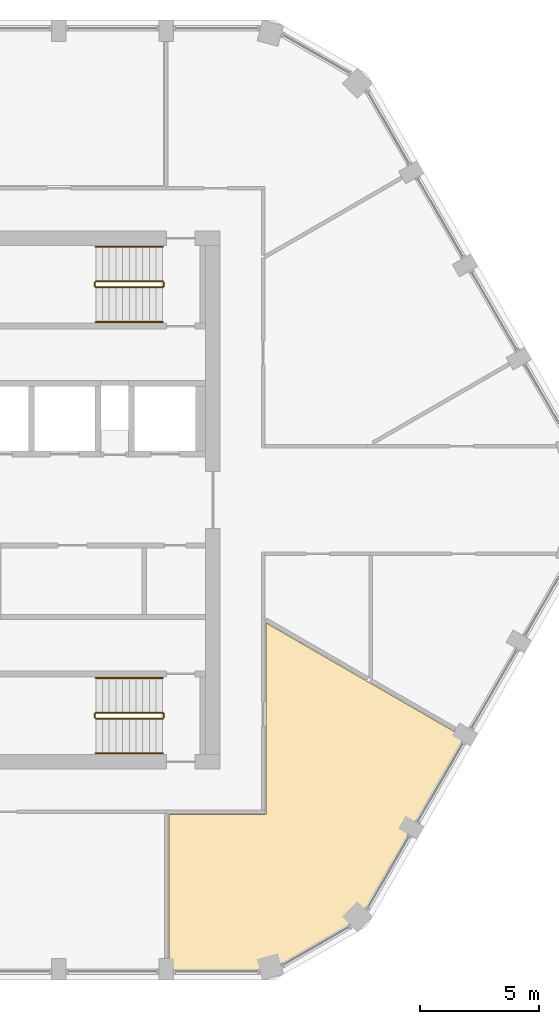
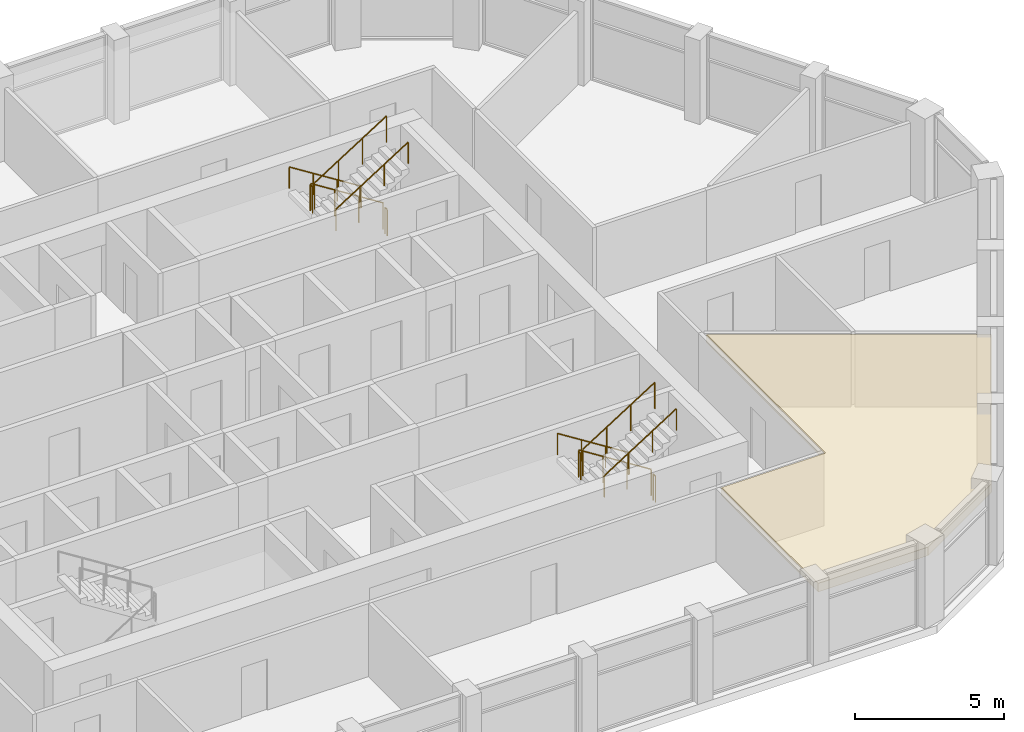
# One storey, part 14 of 15: 12 railings, 1 covering.
"""IFC4 building model written with IfcOpenShell, lengths in metres."""

from ifc_helpers import new_model, si_unit, direction, frame, origin, origin_2d, place, context, subcontext, project, spatial, polyline, circle, outline, extrude, material, layer, layer_set, type_object, element, save


model = new_model("IFC4")

# Units and contexts
model_context = context("Model", 3, precision=1e-05, world=origin(), true_north=direction((0.0, 1.0)))
body_context = subcontext(model_context, "Body", "Model", "MODEL_VIEW")
ifc_project = project(units=[si_unit("LENGTHUNIT", "METRE"), si_unit("AREAUNIT", "SQUARE_METRE"), si_unit("VOLUMEUNIT", "CUBIC_METRE"), si_unit("PLANEANGLEUNIT", "RADIAN"), si_unit("MASSUNIT", "GRAM", prefix="KILO")], contexts=[model_context])

# Site, building, storey
site_placement = place(None, origin())
site = spatial("IfcSite", under=ifc_project, at=site_placement, CompositionType="ELEMENT")
building_placement = place(site_placement, origin())
building = spatial("IfcBuilding", under=site, at=building_placement, Name="Dhurran Vertical Campus", CompositionType="ELEMENT")
storey_placement = place(building_placement, frame((0.0, 0.0, 306.0)))
storey = spatial("IfcBuildingStorey", under=building, at=storey_placement, Name="L76", CompositionType="ELEMENT", Elevation=306.0)

# Railings
ifc_material_1 = material(Name="Stainless steel balustrade", Category="steel")
railing_type_1 = type_object("IfcRailingType", Name="co-RL-GUARD-1100", PredefinedType="GUARDRAIL", material=ifc_material_1)
railing_1_placement = place(storey_placement, frame((11.10009765625, 9.14990234375, 0.17724609375)))
element("IfcRailing", 1, at=railing_1_placement, inside=storey, type_object=railing_type_1, Name="L76 ST2 stair guard 1", PredefinedType="GUARDRAIL", context=body_context, shape_type="SweptSolid", body=[
    extrude(circle(Radius=0.02392578125, at=origin_2d()), frame((0.0, 0.0, 1.076171875), z_axis=(-0.844908973607, 0.0, 0.534910110503), x_axis=(0.0, -1.0, 0.0)), (0.0, 0.0, 1.0), 3.31396484375),
    extrude(circle(Radius=0.02099609375, at=origin_2d()), origin(), (0.0, 0.0, 1.0), 1.052001953125),
    extrude(circle(Radius=0.02099609375, at=origin_2d()), frame((-0.933349609375, 0.0, 0.5908203125)), (0.0, 0.0, 1.0), 1.052001953125),
    extrude(circle(Radius=0.02099609375, at=origin_2d()), frame((-1.86669921875, 0.0, 1.181884765625)), (0.0, 0.0, 1.0), 1.052001953125),
    extrude(circle(Radius=0.02099609375, at=origin_2d()), frame((-2.800048828125, 0.0, 1.772705078125)), (0.0, 0.0, 1.0), 1.052001953125),
])
railing_2_placement = place(storey_placement, frame((8.25, 9.10009765625, 1.949951171875)))
element("IfcRailing", 2, at=railing_2_placement, inside=storey, type_object=railing_type_1, Name="L76 ST2 stair guard 2", PredefinedType="GUARDRAIL", context=body_context, shape_type="SweptSolid", body=[
    extrude(circle(Radius=0.02392578125, at=origin_2d()), frame((0.0, 0.0, 1.076171875), z_axis=(0.0, -1.0, 0.0), x_axis=(1.0, 0.0, 0.0)), (0.0, 0.0, 1.0), 0.150146484375),
    extrude(circle(Radius=0.02099609375, at=origin_2d()), origin(), (0.0, 0.0, 1.0), 1.052001953125),
    extrude(circle(Radius=0.02099609375, at=origin_2d()), frame((0.0, -0.150146484375, 0.0)), (0.0, 0.0, 1.0), 1.052001953125),
])
railing_3_placement = place(storey_placement, frame((8.300048828125, 8.89990234375, 2.127197265625)))
element("IfcRailing", 3, at=railing_3_placement, inside=storey, type_object=railing_type_1, Name="L76 ST2 stair guard 3", PredefinedType="GUARDRAIL", context=body_context, shape_type="SweptSolid", body=[
    extrude(circle(Radius=0.02392578125, at=origin_2d()), frame((0.0, 0.0, 1.076171875), z_axis=(0.844908973607, 0.0, 0.534910110503), x_axis=(0.0, 1.0, 0.0)), (0.0, 0.0, 1.0), 3.31396484375),
    extrude(circle(Radius=0.02099609375, at=origin_2d()), origin(), (0.0, 0.0, 1.0), 1.052001953125),
    extrude(circle(Radius=0.02099609375, at=origin_2d()), frame((0.933349609375, 0.0, 0.5908203125)), (0.0, 0.0, 1.0), 1.052001953125),
    extrude(circle(Radius=0.02099609375, at=origin_2d()), frame((1.86669921875, 0.0, 1.181884765625)), (0.0, 0.0, 1.0), 1.052001953125),
    extrude(circle(Radius=0.02099609375, at=origin_2d()), frame((2.800048828125, 0.0, 1.772705078125)), (0.0, 0.0, 1.0), 1.052001953125),
])
railing_4_placement = place(storey_placement, frame((11.14990234375, 9.10009765625, 0.0)))
element("IfcRailing", 4, at=railing_4_placement, inside=storey, type_object=railing_type_1, Name="L76 ST2 stair guard 4", PredefinedType="GUARDRAIL", context=body_context, shape_type="SweptSolid", body=[
    extrude(circle(Radius=0.02392578125, at=origin_2d()), frame((0.0, 0.0, 1.076171875), z_axis=(0.0, -1.0, 0.0), x_axis=(1.0, 0.0, 0.0)), (0.0, 0.0, 1.0), 0.150146484375),
    extrude(circle(Radius=0.02099609375, at=origin_2d()), origin(), (0.0, 0.0, 1.0), 1.052001953125),
    extrude(circle(Radius=0.02099609375, at=origin_2d()), frame((0.0, -0.150146484375, 0.0)), (0.0, 0.0, 1.0), 1.052001953125),
])
railing_5_placement = place(storey_placement, frame((11.10009765625, -8.89990234375, 0.17724609375)))
element("IfcRailing", 5, at=railing_5_placement, inside=storey, type_object=railing_type_1, Name="L76 ST4 stair guard 1", PredefinedType="GUARDRAIL", context=body_context, shape_type="SweptSolid", body=[
    extrude(circle(Radius=0.02392578125, at=origin_2d()), frame((0.0, 0.0, 1.076171875), z_axis=(-0.844908973607, 0.0, 0.534910110503), x_axis=(0.0, -1.0, 0.0)), (0.0, 0.0, 1.0), 3.31396484375),
    extrude(circle(Radius=0.02099609375, at=origin_2d()), origin(), (0.0, 0.0, 1.0), 1.052001953125),
    extrude(circle(Radius=0.02099609375, at=origin_2d()), frame((-0.933349609375, 0.0, 0.5908203125)), (0.0, 0.0, 1.0), 1.052001953125),
    extrude(circle(Radius=0.02099609375, at=origin_2d()), frame((-1.86669921875, 0.0, 1.181884765625)), (0.0, 0.0, 1.0), 1.052001953125),
    extrude(circle(Radius=0.02099609375, at=origin_2d()), frame((-2.800048828125, 0.0, 1.772705078125)), (0.0, 0.0, 1.0), 1.052001953125),
])
railing_6_placement = place(storey_placement, frame((8.25, -8.949951171875, 1.949951171875)))
element("IfcRailing", 6, at=railing_6_placement, inside=storey, type_object=railing_type_1, Name="L76 ST4 stair guard 2", PredefinedType="GUARDRAIL", context=body_context, shape_type="SweptSolid", body=[
    extrude(circle(Radius=0.02392578125, at=origin_2d()), frame((0.0, 0.0, 1.076171875), z_axis=(0.0, -1.0, 0.0), x_axis=(1.0, 0.0, 0.0)), (0.0, 0.0, 1.0), 0.150146484375),
    extrude(circle(Radius=0.02099609375, at=origin_2d()), origin(), (0.0, 0.0, 1.0), 1.052001953125),
    extrude(circle(Radius=0.02099609375, at=origin_2d()), frame((0.0, -0.150146484375, 0.0)), (0.0, 0.0, 1.0), 1.052001953125),
])
railing_7_placement = place(storey_placement, frame((8.300048828125, -9.14990234375, 2.127197265625)))
element("IfcRailing", 7, at=railing_7_placement, inside=storey, type_object=railing_type_1, Name="L76 ST4 stair guard 3", PredefinedType="GUARDRAIL", context=body_context, shape_type="SweptSolid", body=[
    extrude(circle(Radius=0.02392578125, at=origin_2d()), frame((0.0, 0.0, 1.076171875), z_axis=(0.844908973607, 0.0, 0.534910110503), x_axis=(0.0, 1.0, 0.0)), (0.0, 0.0, 1.0), 3.31396484375),
    extrude(circle(Radius=0.02099609375, at=origin_2d()), origin(), (0.0, 0.0, 1.0), 1.052001953125),
    extrude(circle(Radius=0.02099609375, at=origin_2d()), frame((0.933349609375, 0.0, 0.5908203125)), (0.0, 0.0, 1.0), 1.052001953125),
    extrude(circle(Radius=0.02099609375, at=origin_2d()), frame((1.86669921875, 0.0, 1.181884765625)), (0.0, 0.0, 1.0), 1.052001953125),
    extrude(circle(Radius=0.02099609375, at=origin_2d()), frame((2.800048828125, 0.0, 1.772705078125)), (0.0, 0.0, 1.0), 1.052001953125),
])
railing_8_placement = place(storey_placement, frame((11.14990234375, -8.949951171875, 0.0)))
element("IfcRailing", 8, at=railing_8_placement, inside=storey, type_object=railing_type_1, Name="L76 ST4 stair guard 4", PredefinedType="GUARDRAIL", context=body_context, shape_type="SweptSolid", body=[
    extrude(circle(Radius=0.02392578125, at=origin_2d()), frame((0.0, 0.0, 1.076171875), z_axis=(0.0, -1.0, 0.0), x_axis=(1.0, 0.0, 0.0)), (0.0, 0.0, 1.0), 0.150146484375),
    extrude(circle(Radius=0.02099609375, at=origin_2d()), origin(), (0.0, 0.0, 1.0), 1.052001953125),
    extrude(circle(Radius=0.02099609375, at=origin_2d()), frame((0.0, -0.150146484375, 0.0)), (0.0, 0.0, 1.0), 1.052001953125),
])
ifc_material_2 = material(Name="Stainless steel handrail", Category="steel")
railing_type_2 = type_object("IfcRailingType", Name="co-RL-HANDRAIL-900", PredefinedType="HANDRAIL", material=ifc_material_2)
railing_9_placement = place(storey_placement, frame((11.10009765625, 10.60009765625, 0.17724609375)))
element("IfcRailing", 9, at=railing_9_placement, inside=storey, type_object=railing_type_2, Name="L76 ST2 stair handrail 1", PredefinedType="HANDRAIL", context=body_context, shape_type="SweptSolid", body=[
    extrude(circle(Radius=0.02392578125, at=origin_2d()), frame((0.0, 0.0, 0.8759765625), z_axis=(-0.844908973607, 0.0, 0.534910110503), x_axis=(0.0, -1.0, 0.0)), (0.0, 0.0, 1.0), 3.31396484375),
    extrude(circle(Radius=0.02099609375, at=origin_2d()), origin(), (0.0, 0.0, 1.0), 0.851806640625),
    extrude(circle(Radius=0.02099609375, at=origin_2d()), frame((-0.933349609375, 0.0, 0.5908203125)), (0.0, 0.0, 1.0), 0.851806640625),
    extrude(circle(Radius=0.02099609375, at=origin_2d()), frame((-1.86669921875, 0.0, 1.181884765625)), (0.0, 0.0, 1.0), 0.851806640625),
    extrude(circle(Radius=0.02099609375, at=origin_2d()), frame((-2.800048828125, 0.0, 1.772705078125)), (0.0, 0.0, 1.0), 0.851806640625),
])
railing_10_placement = place(storey_placement, frame((8.300048828125, 7.449951171875, 2.127197265625)))
element("IfcRailing", 10, at=railing_10_placement, inside=storey, type_object=railing_type_2, Name="L76 ST2 stair handrail 2", PredefinedType="HANDRAIL", context=body_context, shape_type="SweptSolid", body=[
    extrude(circle(Radius=0.02392578125, at=origin_2d()), frame((0.0, 0.0, 0.8759765625), z_axis=(0.844908973607, 0.0, 0.534910110503), x_axis=(0.0, 1.0, 0.0)), (0.0, 0.0, 1.0), 3.31396484375),
    extrude(circle(Radius=0.02099609375, at=origin_2d()), origin(), (0.0, 0.0, 1.0), 0.851806640625),
    extrude(circle(Radius=0.02099609375, at=origin_2d()), frame((0.933349609375, 0.0, 0.5908203125)), (0.0, 0.0, 1.0), 0.851806640625),
    extrude(circle(Radius=0.02099609375, at=origin_2d()), frame((1.86669921875, 0.0, 1.181884765625)), (0.0, 0.0, 1.0), 0.851806640625),
    extrude(circle(Radius=0.02099609375, at=origin_2d()), frame((2.800048828125, 0.0, 1.772705078125)), (0.0, 0.0, 1.0), 0.851806640625),
])
railing_11_placement = place(storey_placement, frame((11.10009765625, -7.449951171875, 0.17724609375)))
element("IfcRailing", 11, at=railing_11_placement, inside=storey, type_object=railing_type_2, Name="L76 ST4 stair handrail 1", PredefinedType="HANDRAIL", context=body_context, shape_type="SweptSolid", body=[
    extrude(circle(Radius=0.02392578125, at=origin_2d()), frame((0.0, 0.0, 0.8759765625), z_axis=(-0.844908973607, 0.0, 0.534910110503), x_axis=(0.0, -1.0, 0.0)), (0.0, 0.0, 1.0), 3.31396484375),
    extrude(circle(Radius=0.02099609375, at=origin_2d()), origin(), (0.0, 0.0, 1.0), 0.851806640625),
    extrude(circle(Radius=0.02099609375, at=origin_2d()), frame((-0.933349609375, 0.0, 0.5908203125)), (0.0, 0.0, 1.0), 0.851806640625),
    extrude(circle(Radius=0.02099609375, at=origin_2d()), frame((-1.86669921875, 0.0, 1.181884765625)), (0.0, 0.0, 1.0), 0.851806640625),
    extrude(circle(Radius=0.02099609375, at=origin_2d()), frame((-2.800048828125, 0.0, 1.772705078125)), (0.0, 0.0, 1.0), 0.851806640625),
])
railing_12_placement = place(storey_placement, frame((8.300048828125, -10.60009765625, 2.127197265625)))
element("IfcRailing", 12, at=railing_12_placement, inside=storey, type_object=railing_type_2, Name="L76 ST4 stair handrail 2", PredefinedType="HANDRAIL", context=body_context, shape_type="SweptSolid", body=[
    extrude(circle(Radius=0.02392578125, at=origin_2d()), frame((0.0, 0.0, 0.8759765625), z_axis=(0.844908973607, 0.0, 0.534910110503), x_axis=(0.0, 1.0, 0.0)), (0.0, 0.0, 1.0), 3.31396484375),
    extrude(circle(Radius=0.02099609375, at=origin_2d()), origin(), (0.0, 0.0, 1.0), 0.851806640625),
    extrude(circle(Radius=0.02099609375, at=origin_2d()), frame((0.933349609375, 0.0, 0.5908203125)), (0.0, 0.0, 1.0), 0.851806640625),
    extrude(circle(Radius=0.02099609375, at=origin_2d()), frame((1.86669921875, 0.0, 1.181884765625)), (0.0, 0.0, 1.0), 0.851806640625),
    extrude(circle(Radius=0.02099609375, at=origin_2d()), frame((2.800048828125, 0.0, 1.772705078125)), (0.0, 0.0, 1.0), 0.851806640625),
])

# Covering
ifc_material_3 = material(Name="Mineral fibre ceiling tiles on suspended grid")
ifc_layer = layer(ifc_material_3, 0.35009765625)
ifc_layer_set = layer_set([ifc_layer], Name="Mineral fibre ceiling tiles on suspended grid")
covering_type = type_object("IfcCoveringType", Name="fl-CE-350 suspended ceiling", PredefinedType="CEILING", material=ifc_layer_set)
covering_placement = place(storey_placement, frame((0.0, 0.0, 2.64990234375)))
element("IfcCovering", 13, at=covering_placement, inside=storey, type_object=covering_type, Name="Ceiling 76-15", PredefinedType="CEILING", context=body_context, shape_type="SweptSolid", body=[
    extrude(outline(polyline([(23.722900390625, -9.93798828125), (19.339111328125, -17.531005859375), (15.637939453125, -19.66796875), (11.3701171875, -19.66796875), (11.3701171875, -13.169921875), (15.419921875, -13.169921875), (15.419921875, -5.14404296875), (23.722900390625, -9.93798828125)])), origin(), (0.0, 0.0, 1.0), 0.35009765625),
])

save(model, "model.ifc")
